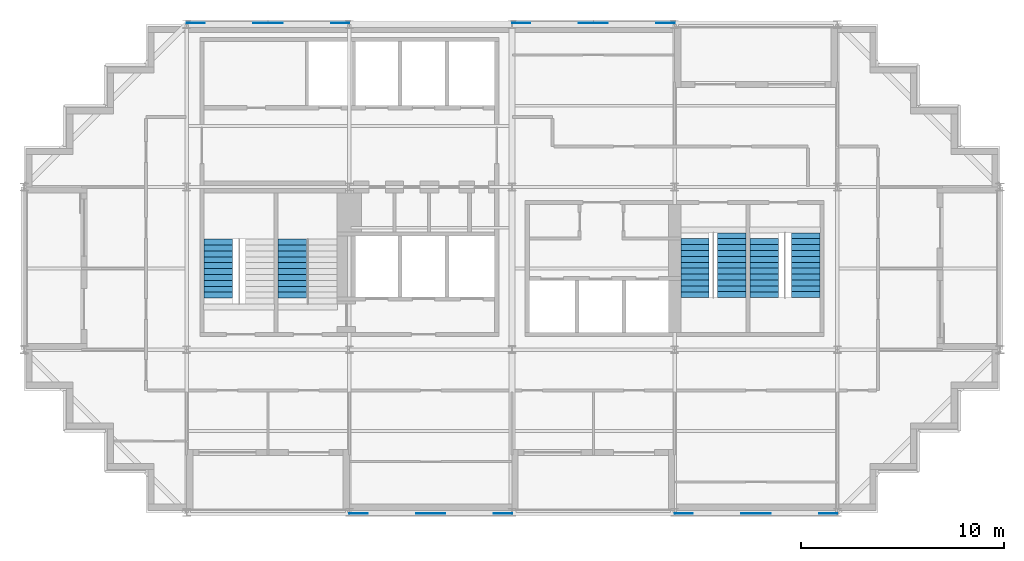
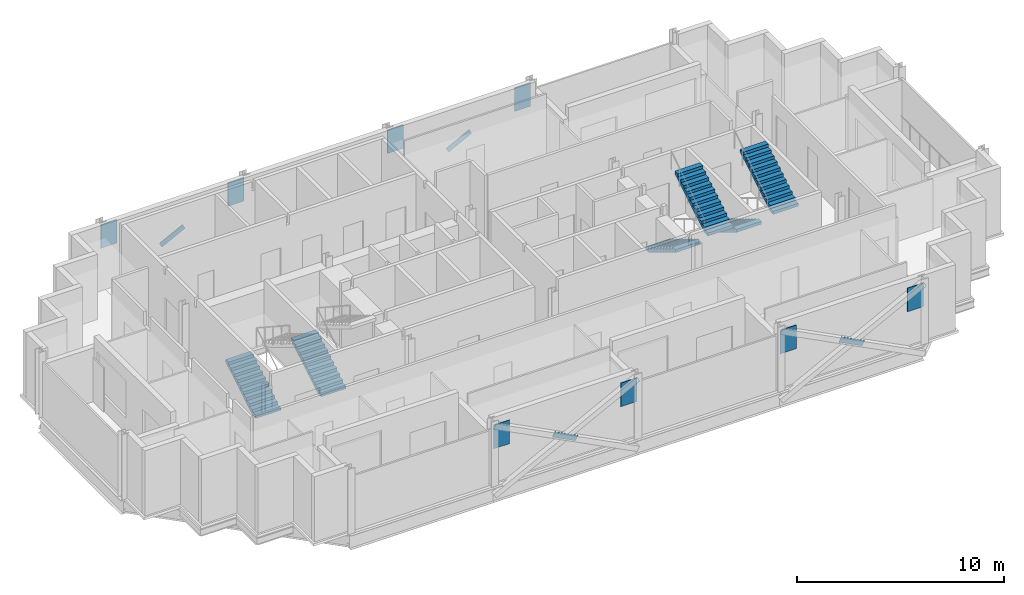
# One storey, part 8 of 9: 12 discrete accessories, 6 stair flights, 4 elements without a shape of their own.
"""IFC4 building model written with IfcOpenShell, lengths in metres."""

from ifc_helpers import new_model, si_unit, direction, frame, origin, origin_2d, place, context, subcontext, project, spatial, polyline, rectangle, outline, extrude, material, material_profile, profile_set, type_object, element, aggregate, save


model = new_model("IFC4")

# Units and contexts
model_context = context("Model", 3, precision=1e-05, world=origin(), true_north=direction((0.0, 1.0)))
body_context = subcontext(model_context, "Body", "Model", "MODEL_VIEW")
ifc_project = project(units=[si_unit("LENGTHUNIT", "METRE"), si_unit("AREAUNIT", "SQUARE_METRE"), si_unit("VOLUMEUNIT", "CUBIC_METRE"), si_unit("PLANEANGLEUNIT", "RADIAN"), si_unit("MASSUNIT", "GRAM", prefix="KILO")], contexts=[model_context])

# Site, building, storey
site_placement = place(None, origin())
site = spatial("IfcSite", under=ifc_project, at=site_placement, CompositionType="ELEMENT")
building_placement = place(site_placement, origin())
building = spatial("IfcBuilding", under=site, at=building_placement, Name="Immortelle Media Tower", CompositionType="ELEMENT")
storey_placement = place(building_placement, frame((0.0, 0.0, 247.0)))
storey = spatial("IfcBuildingStorey", under=building, at=storey_placement, Name="L53", CompositionType="ELEMENT", Elevation=247.0)

# Stair, stair flight
ifc_material_1 = material(Name="Steel ASTM A992 Gr 50", Category="steel")
stair_type = type_object("IfcStairType", Name="Stair with flights", PredefinedType="DOUBLE_RETURN_STAIR", material=ifc_material_1)
stair_1_placement = place(storey_placement, origin())
stair_1 = element("IfcStair", 1, at=stair_1_placement, inside=storey, type_object=stair_type, Name="Exit stair SW1", PredefinedType="DOUBLE_RETURN_STAIR")
stair_flight_type = type_object("IfcStairFlightType", Name="Stair flight 1400", PredefinedType="STRAIGHT", material=ifc_material_1)
stair_flight_1_placement = place(storey_placement, frame((9.550048828125, 10.5400390625, 0.0), z_axis=(0.0, 0.0, 1.0), x_axis=(0.0, 1.0, 0.0)))
stair_flight_1 = element("IfcStairFlight", 2, at=stair_flight_1_placement, type_object=stair_flight_type, Name="ST SW1 flight 1", NumberOfRisers=11, NumberOfTreads=10, PredefinedType="STRAIGHT", RiserHeight=0.173913043, TreadLength=0.29, context=body_context, shape_type="SweptSolid", body=[
    extrude(outline(polyline([(0.0, 0.0), (0.0, 0.173828125), (0.2900390625, 0.173828125), (0.2900390625, 0.347900390625), (0.580078125, 0.347900390625), (0.580078125, 0.521728515625), (0.8701171875, 0.521728515625), (0.8701171875, 0.695556640625), (1.159912109375, 0.695556640625), (1.159912109375, 0.86962890625), (1.449951171875, 0.86962890625), (1.449951171875, 1.04345703125), (1.739990234375, 1.04345703125), (1.739990234375, 1.21728515625), (2.030029296875, 1.21728515625), (2.030029296875, 1.391357421875), (2.320068359375, 1.391357421875), (2.320068359375, 1.565185546875), (2.610107421875, 1.565185546875), (2.610107421875, 1.739013671875), (2.89990234375, 1.739013671875), (2.89990234375, 1.9130859375), (2.89990234375, 1.564453125), (0.29150390625, 0.0), (0.0, 0.0)])), frame((0.0, 0.699951171875, 0.0), z_axis=(0.0, -1.0, 0.0), x_axis=(1.0, 0.0, 0.0)), (0.0, 0.0, 1.0), 1.39990234375),
])
aggregate(stair_1, [stair_flight_1])

stair_2_placement = place(storey_placement, origin())
stair_2 = element("IfcStair", 3, at=stair_2_placement, inside=storey, type_object=stair_type, Name="Exit stair SW2", PredefinedType="DOUBLE_RETURN_STAIR")
stair_flight_2_placement = place(storey_placement, frame((13.199951171875, 10.5400390625, 0.0), z_axis=(0.0, 0.0, 1.0), x_axis=(0.0, 1.0, 0.0)))
stair_flight_2 = element("IfcStairFlight", 4, at=stair_flight_2_placement, type_object=stair_flight_type, Name="ST SW2 flight 1", NumberOfRisers=11, NumberOfTreads=10, PredefinedType="STRAIGHT", RiserHeight=0.173913043, TreadLength=0.29, context=body_context, shape_type="SweptSolid", body=[
    extrude(outline(polyline([(0.0, 0.0), (0.0, 0.173828125), (0.2900390625, 0.173828125), (0.2900390625, 0.347900390625), (0.580078125, 0.347900390625), (0.580078125, 0.521728515625), (0.8701171875, 0.521728515625), (0.8701171875, 0.695556640625), (1.159912109375, 0.695556640625), (1.159912109375, 0.86962890625), (1.449951171875, 0.86962890625), (1.449951171875, 1.04345703125), (1.739990234375, 1.04345703125), (1.739990234375, 1.21728515625), (2.030029296875, 1.21728515625), (2.030029296875, 1.391357421875), (2.320068359375, 1.391357421875), (2.320068359375, 1.565185546875), (2.610107421875, 1.565185546875), (2.610107421875, 1.739013671875), (2.89990234375, 1.739013671875), (2.89990234375, 1.9130859375), (2.89990234375, 1.564453125), (0.29150390625, 0.0), (0.0, 0.0)])), frame((0.0, 0.699951171875, 0.0), z_axis=(0.0, -1.0, 0.0), x_axis=(1.0, 0.0, 0.0)), (0.0, 0.0, 1.0), 1.39990234375),
])
aggregate(stair_2, [stair_flight_2])

# Stair, stair flights
stair_3_placement = place(storey_placement, origin())
stair_3 = element("IfcStair", 5, at=stair_3_placement, inside=storey, type_object=stair_type, Name="Exit stair SE1", PredefinedType="DOUBLE_RETURN_STAIR")
stair_flight_3_placement = place(storey_placement, frame((33.0, 13.4599609375, 0.0), z_axis=(0.0, 0.0, 1.0), x_axis=(0.0, -1.0, 0.0)))
stair_flight_3 = element("IfcStairFlight", 6, at=stair_flight_3_placement, type_object=stair_flight_type, Name="ST SE1 flight 1", NumberOfRisers=11, NumberOfTreads=10, PredefinedType="STRAIGHT", RiserHeight=0.173913043, TreadLength=0.29, context=body_context, shape_type="SweptSolid", body=[
    extrude(outline(polyline([(0.0, 0.0), (0.0, 0.173828125), (0.2900390625, 0.173828125), (0.2900390625, 0.347900390625), (0.580078125, 0.347900390625), (0.580078125, 0.521728515625), (0.8701171875, 0.521728515625), (0.8701171875, 0.695556640625), (1.159912109375, 0.695556640625), (1.159912109375, 0.86962890625), (1.449951171875, 0.86962890625), (1.449951171875, 1.04345703125), (1.739990234375, 1.04345703125), (1.739990234375, 1.21728515625), (2.030029296875, 1.21728515625), (2.030029296875, 1.391357421875), (2.320068359375, 1.391357421875), (2.320068359375, 1.565185546875), (2.610107421875, 1.565185546875), (2.610107421875, 1.739013671875), (2.89990234375, 1.739013671875), (2.89990234375, 1.9130859375), (2.89990234375, 1.564453125), (0.29150390625, 0.0), (0.0, 0.0)])), frame((0.0, 0.699951171875, 0.0), z_axis=(0.0, -1.0, 0.0), x_axis=(1.0, 0.0, 0.0)), (0.0, 0.0, 1.0), 1.39990234375),
])
stair_flight_4_placement = place(storey_placement, frame((34.800048828125, 10.56005859375, 1.9130859375), z_axis=(0.0, 0.0, 1.0), x_axis=(0.0, 1.0, 0.0)))
stair_flight_4 = element("IfcStairFlight", 7, at=stair_flight_4_placement, type_object=stair_flight_type, Name="ST SE1 flight 2", NumberOfRisers=12, NumberOfTreads=11, PredefinedType="STRAIGHT", RiserHeight=0.173913043, TreadLength=0.29, context=body_context, shape_type="SweptSolid", body=[
    extrude(outline(polyline([(0.0, 0.0), (0.0, 0.173828125), (0.2900390625, 0.173828125), (0.2900390625, 0.347900390625), (0.580078125, 0.347900390625), (0.580078125, 0.521728515625), (0.8701171875, 0.521728515625), (0.8701171875, 0.695556640625), (1.159912109375, 0.695556640625), (1.159912109375, 0.86962890625), (1.449951171875, 0.86962890625), (1.449951171875, 1.04345703125), (1.739990234375, 1.04345703125), (1.739990234375, 1.21728515625), (2.030029296875, 1.21728515625), (2.030029296875, 1.391357421875), (2.320068359375, 1.391357421875), (2.320068359375, 1.565185546875), (2.610107421875, 1.565185546875), (2.610107421875, 1.739013671875), (2.89990234375, 1.739013671875), (2.89990234375, 1.9130859375), (3.18994140625, 1.9130859375), (3.18994140625, 2.0869140625), (3.18994140625, 1.73828125), (0.29150390625, 0.0), (0.0, 0.0)])), frame((0.0, 0.699951171875, 0.0), z_axis=(0.0, -1.0, 0.0), x_axis=(1.0, 0.0, 0.0)), (0.0, 0.0, 1.0), 1.39990234375),
])
aggregate(stair_3, [stair_flight_3, stair_flight_4])

stair_4_placement = place(storey_placement, origin())
stair_4 = element("IfcStair", 8, at=stair_4_placement, inside=storey, type_object=stair_type, Name="Exit stair SE2", PredefinedType="DOUBLE_RETURN_STAIR")
stair_flight_5_placement = place(storey_placement, frame((36.39990234375, 13.4599609375, 0.0), z_axis=(0.0, 0.0, 1.0), x_axis=(0.0, -1.0, 0.0)))
stair_flight_5 = element("IfcStairFlight", 9, at=stair_flight_5_placement, type_object=stair_flight_type, Name="ST SE2 flight 1", NumberOfRisers=11, NumberOfTreads=10, PredefinedType="STRAIGHT", RiserHeight=0.173913043, TreadLength=0.29, context=body_context, shape_type="SweptSolid", body=[
    extrude(outline(polyline([(0.0, 0.0), (0.0, 0.173828125), (0.2900390625, 0.173828125), (0.2900390625, 0.347900390625), (0.580078125, 0.347900390625), (0.580078125, 0.521728515625), (0.8701171875, 0.521728515625), (0.8701171875, 0.695556640625), (1.159912109375, 0.695556640625), (1.159912109375, 0.86962890625), (1.449951171875, 0.86962890625), (1.449951171875, 1.04345703125), (1.739990234375, 1.04345703125), (1.739990234375, 1.21728515625), (2.030029296875, 1.21728515625), (2.030029296875, 1.391357421875), (2.320068359375, 1.391357421875), (2.320068359375, 1.565185546875), (2.610107421875, 1.565185546875), (2.610107421875, 1.739013671875), (2.89990234375, 1.739013671875), (2.89990234375, 1.9130859375), (2.89990234375, 1.564453125), (0.29150390625, 0.0), (0.0, 0.0)])), frame((0.0, 0.699951171875, 0.0), z_axis=(0.0, -1.0, 0.0), x_axis=(1.0, 0.0, 0.0)), (0.0, 0.0, 1.0), 1.39990234375),
])
stair_flight_6_placement = place(storey_placement, frame((38.449951171875, 10.56005859375, 1.9130859375), z_axis=(0.0, 0.0, 1.0), x_axis=(0.0, 1.0, 0.0)))
stair_flight_6 = element("IfcStairFlight", 10, at=stair_flight_6_placement, type_object=stair_flight_type, Name="ST SE2 flight 2", NumberOfRisers=12, NumberOfTreads=11, PredefinedType="STRAIGHT", RiserHeight=0.173913043, TreadLength=0.29, context=body_context, shape_type="SweptSolid", body=[
    extrude(outline(polyline([(0.0, 0.0), (0.0, 0.173828125), (0.2900390625, 0.173828125), (0.2900390625, 0.347900390625), (0.580078125, 0.347900390625), (0.580078125, 0.521728515625), (0.8701171875, 0.521728515625), (0.8701171875, 0.695556640625), (1.159912109375, 0.695556640625), (1.159912109375, 0.86962890625), (1.449951171875, 0.86962890625), (1.449951171875, 1.04345703125), (1.739990234375, 1.04345703125), (1.739990234375, 1.21728515625), (2.030029296875, 1.21728515625), (2.030029296875, 1.391357421875), (2.320068359375, 1.391357421875), (2.320068359375, 1.565185546875), (2.610107421875, 1.565185546875), (2.610107421875, 1.739013671875), (2.89990234375, 1.739013671875), (2.89990234375, 1.9130859375), (3.18994140625, 1.9130859375), (3.18994140625, 2.0869140625), (3.18994140625, 1.73828125), (0.29150390625, 0.0), (0.0, 0.0)])), frame((0.0, 0.699951171875, 0.0), z_axis=(0.0, -1.0, 0.0), x_axis=(1.0, 0.0, 0.0)), (0.0, 0.0, 1.0), 1.39990234375),
])
aggregate(stair_4, [stair_flight_5, stair_flight_6])

# Discrete accessories
ifc_material_2 = material(Name="Steel ASTM A572 Gr 50", Category="steel")
ifc_material_profile_1 = material_profile(ifc_material_2, rectangle(XDim=0.02392578125, YDim=0.304931640625, at=origin_2d()), Name="PL 24 x 305")
ifc_profile_set_1 = profile_set([ifc_material_profile_1], Name="Steel ASTM A572 Gr 50")
discrete_accessory_type_1 = type_object("IfcDiscreteAccessoryType", Name="Crossing plate XP-BR6 1450 x 305 x 24", PredefinedType="USERDEFINED", material=ifc_profile_set_1)
for number, where, z_axis, x_axis, name in (
    (11, (28.644775390625, 24.0625, 1.8193359375), (-0.889387570437, 0.0, -0.457153967008), (0.0, -1.0, 0.0), "Crossing plate XP-BR6 of Brace D/4-5 A and Brace D/4-5 B"),
    (12, (12.644775390625, 24.0625, 1.8193359375), (-0.889387570437, 0.0, -0.457153967008), (0.0, -1.0, 0.0), "Crossing plate XP-BR6 of Brace D/2-3 A and Brace D/2-3 B"),
    (13, (19.355224609375, -0.0625, 1.8193359375), (0.889387570437, 0.0, -0.457153967008), (0.0, 1.0, 0.0), "Crossing plate XP-BR6 of Brace A/3-4 A and Brace A/3-4 B"),
    (14, (35.355224609375, -0.0625, 1.8193359375), (0.889387570437, 0.0, -0.457153967008), (0.0, 1.0, 0.0), "Crossing plate XP-BR6 of Brace A/5-6 A and Brace A/5-6 B"),
):
    element("IfcDiscreteAccessory", number, at=place(storey_placement, frame(where, z_axis=z_axis, x_axis=x_axis)), inside=storey, type_object=discrete_accessory_type_1, Name=name, ObjectType="CROSSING PLATE", PredefinedType="USERDEFINED", context=body_context, shape_type="SweptSolid", body=[
        extrude(rectangle(XDim=0.02392578125, YDim=0.304931640625, at=origin_2d()), origin(), (0.0, 0.0, 1.0), 1.449951171875),
    ])
ifc_material_profile_2 = material_profile(ifc_material_2, rectangle(XDim=0.031982421875, YDim=1.39990234375, at=origin_2d()), Name="PL 32 x 1400")
ifc_profile_set_2 = profile_set([ifc_material_profile_2], Name="Steel ASTM A572 Gr 50")
discrete_accessory_type_2 = type_object("IfcDiscreteAccessoryType", Name="Gusset plate GP1 900 x 1400 x 32", PredefinedType="USERDEFINED", material=ifc_profile_set_2)
for number, where, z_axis, x_axis, name in (
    (15, (24.0, -0.0625, 2.843994140625), (-1.0, 0.0, 0.0), (0.0, -1.0, 0.0), "Gusset plate GP1, upper end of Brace A/3-4 A"),
    (16, (16.0, -0.0625, 2.843994140625), (1.0, 0.0, 0.0), (0.0, 1.0, 0.0), "Gusset plate GP1, upper end of Brace A/3-4 B"),
    (17, (40.0, -0.0625, 2.843994140625), (-1.0, 0.0, 0.0), (0.0, -1.0, 0.0), "Gusset plate GP1, upper end of Brace A/5-6 A"),
    (18, (32.0, -0.0625, 2.843994140625), (1.0, 0.0, 0.0), (0.0, 1.0, 0.0), "Gusset plate GP1, upper end of Brace A/5-6 B"),
    (19, (24.0, 24.0625, 2.843994140625), (1.0, 0.0, 0.0), (0.0, 1.0, 0.0), "Gusset plate GP1, upper end of Brace D/4-5 A"),
    (20, (32.0, 24.0625, 2.843994140625), (-1.0, 0.0, 0.0), (0.0, -1.0, 0.0), "Gusset plate GP1, upper end of Brace D/4-5 B"),
    (21, (8.0, 24.0625, 2.843994140625), (1.0, 0.0, 0.0), (0.0, 1.0, 0.0), "Gusset plate GP1, upper end of Brace D/2-3 A"),
    (22, (16.0, 24.0625, 2.843994140625), (-1.0, 0.0, 0.0), (0.0, -1.0, 0.0), "Gusset plate GP1, upper end of Brace D/2-3 B"),
):
    element("IfcDiscreteAccessory", number, at=place(storey_placement, frame(where, z_axis=z_axis, x_axis=x_axis)), inside=storey, type_object=discrete_accessory_type_2, Name=name, ObjectType="GUSSET PLATE", PredefinedType="USERDEFINED", context=body_context, shape_type="SweptSolid", body=[
        extrude(rectangle(XDim=0.031982421875, YDim=1.39990234375, at=origin_2d()), origin(), (0.0, 0.0, 1.0), 0.89990234375),
    ])

save(model, "model.ifc")
